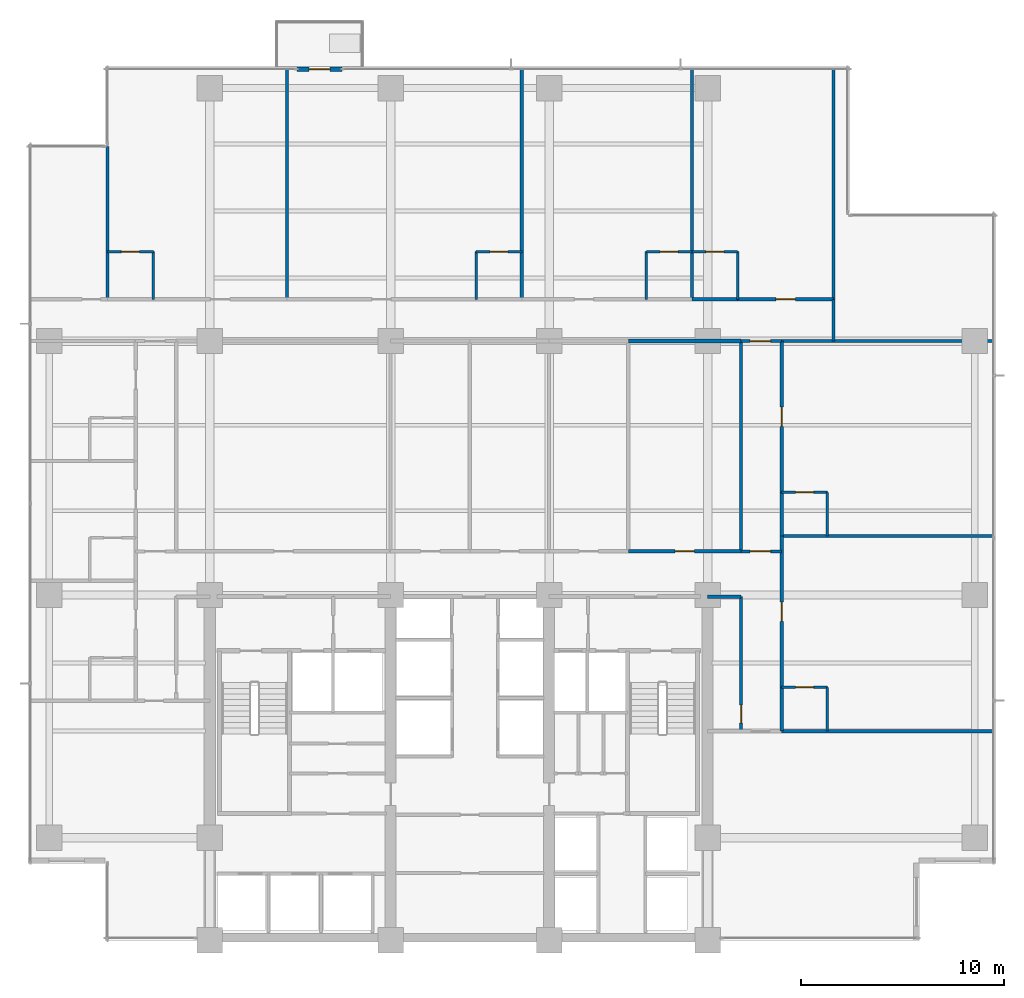
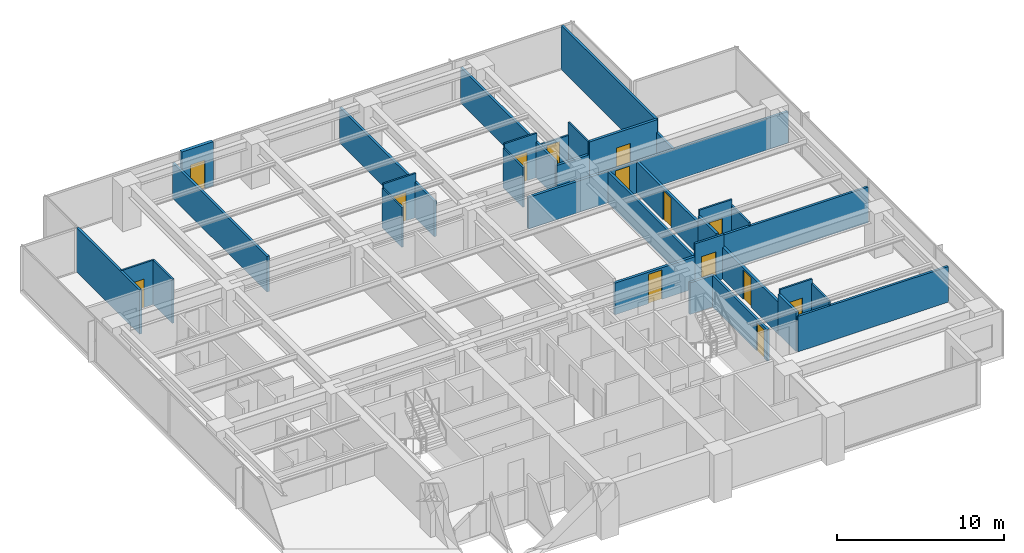
# One storey, part 11 of 17: 35 walls, 14 doors, 14 openings.
"""IFC4 building model written with IfcOpenShell, lengths in metres."""

import ifcopenshell
import ifcopenshell.guid

model = None  # the IFC model being written
_history = None  # IfcOwnerHistory: only IFC2X3 demands one
_inside = {}  # id of a spatial element -> (the spatial element, [elements in it])
_under = {}  # id of a project, library or spatial element -> (it, [spatial elements below it])
_declared = {}  # id of a project -> (the project, [libraries it declares])
_typed = {}  # id of a type object -> (the type object, [elements of that type])
_made_of = {}  # id of a material, layer set ... -> (it, [elements and type objects made of it])


def new_model(schema):
    """Start an empty IFC model of exactly this schema.

    Asked for "IFC4X3", IfcOpenShell would pick the latest addendum, in which some entities
    have other attributes; the version numbers below select the first issue.
    IFC2X3 requires an IfcOwnerHistory on every rooted entity: one is made here for all.
    """
    global model, _history
    if schema == "IFC4X3":
        model = ifcopenshell.file(schema_version=(4, 3, 0, 0))
    else:
        model = ifcopenshell.file(schema=schema)
    _inside.clear()
    _under.clear()
    _declared.clear()
    _typed.clear()
    _made_of.clear()
    _history = None
    if model.schema == "IFC2X3":
        org = make("IfcOrganization", Name="unknown")
        user = make(
            "IfcPersonAndOrganization",
            ThePerson=make("IfcPerson", FamilyName="unknown"),
            TheOrganization=org,
        )
        app = make(
            "IfcApplication",
            ApplicationDeveloper=org,
            Version="unknown",
            ApplicationFullName="unknown",
            ApplicationIdentifier="unknown",
        )
        _history = make(
            "IfcOwnerHistory",
            OwningUser=user,
            OwningApplication=app,
            ChangeAction="ADDED",
            CreationDate=0,
        )
    return model


def make(cls, **values):
    """One entity of the class cls with the attributes given. An attribute that is None is left unset."""
    return model.create_entity(
        cls, **{name: value for name, value in values.items() if value is not None}
    )


def rooted(cls, **values):
    """An entity with a GlobalId (a new one), such as an element, a storey or a relation."""
    return make(cls, GlobalId=ifcopenshell.guid.new(), OwnerHistory=_history, **values)


def si_unit(unit_type, name, prefix=None):
    """IfcSIUnit, for example si_unit("LENGTHUNIT", "METRE", prefix="MILLI")."""
    return make("IfcSIUnit", UnitType=unit_type, Prefix=prefix, Name=name)


def assignment(units):
    """IfcUnitAssignment: the units of a project."""
    return None if units is None else make("IfcUnitAssignment", Units=units)


def point(xyz):
    """IfcCartesianPoint."""
    return None if xyz is None else make("IfcCartesianPoint", Coordinates=xyz)


def direction(xyz):
    """IfcDirection."""
    return None if xyz is None else make("IfcDirection", DirectionRatios=xyz)


def frame(location, z_axis=None, x_axis=None):
    """IfcAxis2Placement3D, a coordinate frame: its origin and axes. An axis left out is left unset."""
    return make(
        "IfcAxis2Placement3D",
        Location=point(location),
        Axis=direction(z_axis),
        RefDirection=direction(x_axis),
    )


def frame_2d(location, x_axis=None):
    """IfcAxis2Placement2D, a coordinate frame in the plane: its origin and x axis."""
    return make(
        "IfcAxis2Placement2D", Location=point(location), RefDirection=direction(x_axis)
    )


def origin():
    """The frame at (0, 0, 0) with its axes left unset."""
    return frame((0.0, 0.0, 0.0))


def place(relative_to, where):
    """IfcLocalPlacement: puts the frame where relative to a parent placement (None: the world)."""
    return make(
        "IfcLocalPlacement", PlacementRelTo=relative_to, RelativePlacement=where
    )


def context(
    kind, dimensions, precision=None, world=None, true_north=None, identifier=None
):
    """IfcGeometricRepresentationContext, for example the 3D "Model" context."""
    return make(
        "IfcGeometricRepresentationContext",
        ContextIdentifier=identifier,
        ContextType=kind,
        CoordinateSpaceDimension=dimensions,
        Precision=precision,
        WorldCoordinateSystem=world,
        TrueNorth=true_north,
    )


def subcontext(parent, identifier, kind, view, scale=None):
    """IfcGeometricRepresentationSubContext, for example "Body" below "Model"."""
    return make(
        "IfcGeometricRepresentationSubContext",
        ContextIdentifier=identifier,
        ContextType=kind,
        ParentContext=parent,
        TargetScale=scale,
        TargetView=view,
    )


def project(units=None, contexts=None):
    """IfcProject with its units and contexts."""
    return rooted(
        "IfcProject",
        Name="project",
        RepresentationContexts=contexts,
        UnitsInContext=assignment(units),
    )


def spatial(cls, under=None, at=None, **own):
    """A site, building, storey or space (cls), placed at a placement, below another one or the project."""
    s = rooted(cls, ObjectPlacement=at, **own)
    if under is not None:
        _under.setdefault(under.id(), (under, []))[1].append(s)
    return s


def profile(cls, at=None, kind="AREA", **sizes):
    """A parametric profile (cls). Its sizes go by their IFC names, for example OverallWidth=200.0."""
    return make(cls, ProfileType=kind, Position=at, **sizes)


def rectangle(**sizes):
    """IfcRectangleProfileDef."""
    return profile("IfcRectangleProfileDef", **sizes)


def extrude(swept, where, along, depth):
    """IfcExtrudedAreaSolid: the profile swept, set in the frame where, extruded along a direction by depth."""
    return make(
        "IfcExtrudedAreaSolid",
        SweptArea=swept,
        Position=where,
        ExtrudedDirection=direction(along),
        Depth=depth,
    )


def shape(context_of_items, identifier, shape_type, items):
    """IfcShapeRepresentation: the items that make up one representation, for example the "Body"."""
    return make(
        "IfcShapeRepresentation",
        ContextOfItems=context_of_items,
        RepresentationIdentifier=identifier,
        RepresentationType=shape_type,
        Items=items,
    )


def material(Name=None, Category=None):
    """IfcMaterial."""
    return make("IfcMaterial", Name=Name, Category=Category)


def layer(
    of_material, thickness, ventilated=None, Name=None, Category=None, Priority=None
):
    """IfcMaterialLayer: one layer of a wall or slab, of a material (None: an air gap)."""
    return make(
        "IfcMaterialLayer",
        Material=of_material,
        LayerThickness=thickness,
        IsVentilated=ventilated,
        Name=Name,
        Category=Category,
        Priority=Priority,
    )


def layer_set(layers, Name=None):
    """IfcMaterialLayerSet."""
    return make("IfcMaterialLayerSet", MaterialLayers=layers, LayerSetName=Name)


def made_of(thing, what):
    """Note that an element or type object is made of a material, layer set ...; save() writes the relation."""
    if what is not None:
        _made_of.setdefault(what.id(), (what, []))[1].append(thing)
    return thing


def type_object(cls, material=None, **own):
    """A type object (cls), such as IfcWallType, which elements share."""
    return made_of(rooted(cls, **own), material)


def element(
    cls,
    number,
    at=None,
    inside=None,
    cuts=None,
    type_object=None,
    material=None,
    context=None,
    identifier="Body",
    shape_type=None,
    held_by="IfcProductDefinitionShape",
    body=None,
    shapes=None,
    **own,
):
    """One element of the class cls, such as IfcWall. Its Tag is "e" and its number.

    at: its placement. inside: the storey or other place that contains it. cuts: it is an
    opening in that element (IfcRelVoidsElement). A single representation is given by context,
    identifier, shape_type and body (its items); several are given by shapes. held_by: the class
    of the entity that holds the representations. save() writes the other relations.
    """
    e = rooted(cls, Tag="e%d" % number, ObjectPlacement=at, **own)
    if body is not None:
        shapes = [shape(context, identifier, shape_type, body)]
    if shapes is not None:
        e.Representation = make(held_by, Representations=shapes)
    if inside is not None:
        _inside.setdefault(inside.id(), (inside, []))[1].append(e)
    if cuts is not None:
        rooted(
            "IfcRelVoidsElement", RelatingBuildingElement=cuts, RelatedOpeningElement=e
        )
    if type_object is not None:
        _typed.setdefault(type_object.id(), (type_object, []))[1].append(e)
    return made_of(e, material)


def fill(opening, filler):
    """IfcRelFillsElement: the door or window that sits in an opening."""
    return rooted(
        "IfcRelFillsElement",
        RelatingOpeningElement=opening,
        RelatedBuildingElement=filler,
    )


def aggregate(whole, parts):
    """IfcRelAggregates: a whole, such as a stair, and the parts it consists of."""
    return rooted("IfcRelAggregates", RelatingObject=whole, RelatedObjects=parts)


def save(model, path):
    """Write the relations noted so far, then the file.

    IfcRelAggregates (storeys below a building ...), IfcRelContainedInSpatialStructure (elements
    in a storey), IfcRelDefinesByType, IfcRelAssociatesMaterial and IfcRelDeclares: one each for
    every whole, place, type object, material and project.
    """
    for whole, parts in _under.values():
        aggregate(whole, parts)
    for where, things in _inside.values():
        rooted(
            "IfcRelContainedInSpatialStructure",
            RelatedElements=things,
            RelatingStructure=where,
        )
    for kind, things in _typed.values():
        rooted("IfcRelDefinesByType", RelatedObjects=things, RelatingType=kind)
    for what, things in _made_of.values():
        rooted("IfcRelAssociatesMaterial", RelatedObjects=things, RelatingMaterial=what)
    for by, libraries in _declared.values():
        rooted("IfcRelDeclares", RelatingContext=by, RelatedDefinitions=libraries)
    model.write(path)


model = new_model("IFC4")

# Units and contexts
model_context = context("Model", 3, precision=1e-05, world=origin(), true_north=direction((0.0, 1.0)))
body_context = subcontext(model_context, "Body", "Model", "MODEL_VIEW")
ifc_project = project(units=[si_unit("LENGTHUNIT", "METRE"), si_unit("AREAUNIT", "SQUARE_METRE"), si_unit("VOLUMEUNIT", "CUBIC_METRE"), si_unit("PLANEANGLEUNIT", "RADIAN"), si_unit("MASSUNIT", "GRAM", prefix="KILO")], contexts=[model_context])

# Site, building, storey
site_placement = place(None, origin())
site = spatial("IfcSite", under=ifc_project, at=site_placement, CompositionType="ELEMENT")
building_placement = place(site_placement, origin())
building = spatial("IfcBuilding", under=site, at=building_placement, Name="Qalmaran Belvedere Hotel", CompositionType="ELEMENT")
storey_placement = place(building_placement, frame((0.0, 0.0, 91.699951171875)))
storey = spatial("IfcBuildingStorey", under=building, at=storey_placement, Name="L22", CompositionType="ELEMENT", Elevation=91.699951171875)

# Wall, opening, door
ifc_material_1 = material(Name="Anodised Bronze Cladding")
ifc_layer_1 = layer(ifc_material_1, 0.22509765625, Name="Anodised Bronze Cladding")
ifc_layer_set_1 = layer_set([ifc_layer_1], Name="Anodised Bronze Cladding")
wall_type_1 = type_object("IfcWallType", Name="WL-BAL-PORT-225", PredefinedType="SOLIDWALL", material=ifc_layer_set_1)
wall_1_placement = place(storey_placement, frame((24.60009765625, 46.3798828125, 0.0), z_axis=(0.0, 0.0, 1.0), x_axis=(1.0, 0.0, 0.0)))
wall_1 = element("IfcWall", 1, at=wall_1_placement, inside=storey, type_object=wall_type_1, Name="L22 Tree Balcony Door Portal", PredefinedType="SOLIDWALL", context=body_context, shape_type="SweptSolid", body=[
    extrude(rectangle(XDim=2.199951171875, YDim=0.22509765625, at=frame_2d((1.10009765625, 0.0))), origin(), (0.0, 0.0, 1.0), 3.239990234375),
])
opening_1_placement = place(wall_1_placement, frame((0.590087890625, 0.0, 0.0)))
opening_1 = element("IfcOpeningElement", 2, at=opening_1_placement, cuts=wall_1, Name="Opening BL-102", PredefinedType="OPENING", context=body_context, shape_type="SweptSolid", body=[
    extrude(rectangle(XDim=1.02001953125, YDim=2.10009765625, at=frame_2d((0.510009765625, 1.050048828125))), frame((0.0, 0.12255859375, 0.0), z_axis=(0.0, -1.0, 0.0), x_axis=(1.0, 0.0, 0.0)), (0.0, 0.0, 1.0), 0.2451171875),
])
ifc_material_2 = material(Name="Anodised Bronze Aluminium", Category="aluminium")
door_type_1 = type_object("IfcDoorType", Name="DR-BAL-1020X2100", OperationType="NOTDEFINED", PredefinedType="DOOR", material=ifc_material_2)
door_1_placement = place(opening_1_placement, origin())
door_1 = element("IfcDoor", 3, at=door_1_placement, inside=storey, type_object=door_type_1, Name="L22 Planted Tree Balcony Door", OperationType="SINGLE_SWING_LEFT", OverallHeight=2.10009765625, OverallWidth=1.02001953125, PredefinedType="DOOR", context=body_context, shape_type="SweptSolid", body=[
    extrude(rectangle(XDim=1.02001953125, YDim=2.10009765625, at=frame_2d((0.510009765625, 1.050048828125))), frame((0.0, 0.02490234375, 0.0), z_axis=(0.0, -1.0, 0.0), x_axis=(1.0, 0.0, 0.0)), (0.0, 0.0, 1.0), 0.050048828125),
])
fill(opening_1, door_1)

ifc_material_3 = material(Name="Moisture-Resistant Gypsum")
ifc_layer_2 = layer(ifc_material_3, 0.1201171875, Name="Moisture-Resistant Gypsum")
ifc_layer_set_2 = layer_set([ifc_layer_2], Name="Moisture-Resistant Gypsum")
wall_type_2 = type_object("IfcWallType", Name="WL-INT-120-BATH", PredefinedType="PARTITIONING", material=ifc_layer_set_2)
wall_2_placement = place(storey_placement, frame((15.27001953125, 37.39990234375, 0.0), z_axis=(0.0, 0.0, 1.0), x_axis=(1.0, 0.0, 0.0)))
wall_2 = element("IfcWall", 4, at=wall_2_placement, inside=storey, type_object=wall_type_2, Name="L22 Partition WL-L22-NBN00", PredefinedType="PARTITIONING", context=body_context, shape_type="SweptSolid", body=[
    extrude(rectangle(XDim=2.25, YDim=0.1201171875, at=frame_2d((1.125, 0.0))), origin(), (0.0, 0.0, 1.0), 3.239990234375),
])
opening_2_placement = place(wall_2_placement, frame((1.56494140625, 0.0, 0.0), z_axis=(0.0, 0.0, 1.0), x_axis=(-1.0, 0.0, 0.0)))
opening_2 = element("IfcOpeningElement", 5, at=opening_2_placement, cuts=wall_2, Name="Opening D-BATH", PredefinedType="OPENING", context=body_context, shape_type="SweptSolid", body=[
    extrude(rectangle(XDim=0.8798828125, YDim=2.080078125, at=frame_2d((0.43994140625, 1.0400390625))), frame((0.0, 0.070068359375, 0.0), z_axis=(0.0, -1.0, 0.0), x_axis=(1.0, 0.0, 0.0)), (0.0, 0.0, 1.0), 0.14013671875),
])
ifc_material_4 = material(Name="Engineered Oak Veneer")
door_type_2 = type_object("IfcDoorType", Name="DR-INT-BATH-880X2080", OperationType="NOTDEFINED", PredefinedType="DOOR", material=ifc_material_4)
door_2_placement = place(opening_2_placement, origin())
door_2 = element("IfcDoor", 6, at=door_2_placement, inside=storey, type_object=door_type_2, Name="L22 Ensuite Bathroom Door N01", OperationType="SINGLE_SWING_LEFT", OverallHeight=2.080078125, OverallWidth=0.8798828125, PredefinedType="DOOR", context=body_context, shape_type="SweptSolid", body=[
    extrude(rectangle(XDim=0.8798828125, YDim=2.080078125, at=frame_2d((0.43994140625, 1.0400390625))), frame((0.0, 0.02490234375, 0.0), z_axis=(0.0, -1.0, 0.0), x_axis=(1.0, 0.0, 0.0)), (0.0, 0.0, 1.0), 0.050048828125),
])
fill(opening_2, door_2)

# Wall
wall_3_placement = place(storey_placement, frame((17.52001953125, 35.050048828125, 0.0), z_axis=(0.0, 0.0, 1.0), x_axis=(0.0, 1.0, 0.0)))
element("IfcWall", 7, at=wall_3_placement, inside=storey, type_object=wall_type_2, Name="L22 Partition WL-L22-NBS00", PredefinedType="PARTITIONING", context=body_context, shape_type="SweptSolid", body=[
    extrude(rectangle(XDim=2.349853515625, YDim=0.1201171875, at=frame_2d((1.1748046875, 0.0))), origin(), (0.0, 0.0, 1.0), 3.239990234375),
])

# Wall, opening, door
wall_4_placement = place(storey_placement, frame((33.40966796875, 37.39990234375, 0.0), z_axis=(0.0, 0.0, 1.0), x_axis=(1.0, 0.0, 0.0)))
wall_4 = element("IfcWall", 8, at=wall_4_placement, inside=storey, type_object=wall_type_2, Name="L22 Partition WL-L22-NBN01", PredefinedType="PARTITIONING", context=body_context, shape_type="SweptSolid", body=[
    extrude(rectangle(XDim=2.25, YDim=0.1201171875, at=frame_2d((1.125, 0.0))), origin(), (0.0, 0.0, 1.0), 3.239990234375),
])
opening_3_placement = place(wall_4_placement, frame((1.56494140625, 0.0, 0.0), z_axis=(0.0, 0.0, 1.0), x_axis=(-1.0, 0.0, 0.0)))
opening_3 = element("IfcOpeningElement", 9, at=opening_3_placement, cuts=wall_4, Name="Opening D-BATH", PredefinedType="OPENING", context=body_context, shape_type="SweptSolid", body=[
    extrude(rectangle(XDim=0.8798828125, YDim=2.080078125, at=frame_2d((0.43994140625, 1.0400390625))), frame((0.0, 0.070068359375, 0.0), z_axis=(0.0, -1.0, 0.0), x_axis=(1.0, 0.0, 0.0)), (0.0, 0.0, 1.0), 0.14013671875),
])
door_3_placement = place(opening_3_placement, origin())
door_3 = element("IfcDoor", 10, at=door_3_placement, inside=storey, type_object=door_type_2, Name="L22 Ensuite Bathroom Door N02", OperationType="SINGLE_SWING_LEFT", OverallHeight=2.080078125, OverallWidth=0.8798828125, PredefinedType="DOOR", context=body_context, shape_type="SweptSolid", body=[
    extrude(rectangle(XDim=0.8798828125, YDim=2.080078125, at=frame_2d((0.43994140625, 1.0400390625))), frame((0.0, 0.02490234375, 0.0), z_axis=(0.0, -1.0, 0.0), x_axis=(1.0, 0.0, 0.0)), (0.0, 0.0, 1.0), 0.050048828125),
])
fill(opening_3, door_3)

# Wall
wall_5_placement = place(storey_placement, frame((33.40966796875, 35.050048828125, 0.0), z_axis=(0.0, 0.0, 1.0), x_axis=(0.0, 1.0, 0.0)))
element("IfcWall", 11, at=wall_5_placement, inside=storey, type_object=wall_type_2, Name="L22 Partition WL-L22-NBS01", PredefinedType="PARTITIONING", context=body_context, shape_type="SweptSolid", body=[
    extrude(rectangle(XDim=2.349853515625, YDim=0.1201171875, at=frame_2d((1.1748046875, 0.0))), origin(), (0.0, 0.0, 1.0), 2.922119140625),
])

# Wall, opening, door
wall_6_placement = place(storey_placement, frame((41.783935546875, 37.39990234375, 0.0), z_axis=(0.0, 0.0, 1.0), x_axis=(1.0, 0.0, 0.0)))
wall_6 = element("IfcWall", 12, at=wall_6_placement, inside=storey, type_object=wall_type_2, Name="L22 Partition WL-L22-NBN02", PredefinedType="PARTITIONING", context=body_context, shape_type="SweptSolid", body=[
    extrude(rectangle(XDim=2.25, YDim=0.1201171875, at=frame_2d((1.125, 0.0))), origin(), (0.0, 0.0, 1.0), 3.239990234375),
])
opening_4_placement = place(wall_6_placement, frame((1.56494140625, 0.0, 0.0), z_axis=(0.0, 0.0, 1.0), x_axis=(-1.0, 0.0, 0.0)))
opening_4 = element("IfcOpeningElement", 13, at=opening_4_placement, cuts=wall_6, Name="Opening D-BATH", PredefinedType="OPENING", context=body_context, shape_type="SweptSolid", body=[
    extrude(rectangle(XDim=0.8798828125, YDim=2.080078125, at=frame_2d((0.43994140625, 1.0400390625))), frame((0.0, 0.070068359375, 0.0), z_axis=(0.0, -1.0, 0.0), x_axis=(1.0, 0.0, 0.0)), (0.0, 0.0, 1.0), 0.14013671875),
])
door_4_placement = place(opening_4_placement, origin())
door_4 = element("IfcDoor", 14, at=door_4_placement, inside=storey, type_object=door_type_2, Name="L22 Ensuite Bathroom Door N03", OperationType="SINGLE_SWING_LEFT", OverallHeight=2.080078125, OverallWidth=0.8798828125, PredefinedType="DOOR", context=body_context, shape_type="SweptSolid", body=[
    extrude(rectangle(XDim=0.8798828125, YDim=2.080078125, at=frame_2d((0.43994140625, 1.0400390625))), frame((0.0, 0.02490234375, 0.0), z_axis=(0.0, -1.0, 0.0), x_axis=(1.0, 0.0, 0.0)), (0.0, 0.0, 1.0), 0.050048828125),
])
fill(opening_4, door_4)

# Wall
wall_7_placement = place(storey_placement, frame((41.783935546875, 35.050048828125, 0.0), z_axis=(0.0, 0.0, 1.0), x_axis=(0.0, 1.0, 0.0)))
element("IfcWall", 15, at=wall_7_placement, inside=storey, type_object=wall_type_2, Name="L22 Partition WL-L22-NBS02", PredefinedType="PARTITIONING", context=body_context, shape_type="SweptSolid", body=[
    extrude(rectangle(XDim=2.349853515625, YDim=0.1201171875, at=frame_2d((1.1748046875, 0.0))), origin(), (0.0, 0.0, 1.0), 2.922119140625),
])

# Wall, opening, door
wall_8_placement = place(storey_placement, frame((44.033935546875, 37.39990234375, 0.0), z_axis=(0.0, 0.0, 1.0), x_axis=(1.0, 0.0, 0.0)))
wall_8 = element("IfcWall", 16, at=wall_8_placement, inside=storey, type_object=wall_type_2, Name="L22 Partition WL-L22-NBN03", PredefinedType="PARTITIONING", context=body_context, shape_type="SweptSolid", body=[
    extrude(rectangle(XDim=2.25, YDim=0.1201171875, at=frame_2d((1.125, 0.0))), origin(), (0.0, 0.0, 1.0), 2.31298828125),
])
opening_5_placement = place(wall_8_placement, frame((1.56494140625, 0.0, 0.0), z_axis=(0.0, 0.0, 1.0), x_axis=(-1.0, 0.0, 0.0)))
opening_5 = element("IfcOpeningElement", 17, at=opening_5_placement, cuts=wall_8, Name="Opening D-BATH", PredefinedType="OPENING", context=body_context, shape_type="SweptSolid", body=[
    extrude(rectangle(XDim=0.8798828125, YDim=2.080078125, at=frame_2d((0.43994140625, 1.0400390625))), frame((0.0, 0.070068359375, 0.0), z_axis=(0.0, -1.0, 0.0), x_axis=(1.0, 0.0, 0.0)), (0.0, 0.0, 1.0), 0.14013671875),
])
door_5_placement = place(opening_5_placement, origin())
door_5 = element("IfcDoor", 18, at=door_5_placement, inside=storey, type_object=door_type_2, Name="L22 Ensuite Bathroom Door N04", OperationType="SINGLE_SWING_LEFT", OverallHeight=2.080078125, OverallWidth=0.8798828125, PredefinedType="DOOR", context=body_context, shape_type="SweptSolid", body=[
    extrude(rectangle(XDim=0.8798828125, YDim=2.080078125, at=frame_2d((0.43994140625, 1.0400390625))), frame((0.0, 0.02490234375, 0.0), z_axis=(0.0, -1.0, 0.0), x_axis=(1.0, 0.0, 0.0)), (0.0, 0.0, 1.0), 0.050048828125),
])
fill(opening_5, door_5)

# Wall
wall_9_placement = place(storey_placement, frame((46.283935546875, 35.050048828125, 0.0), z_axis=(0.0, 0.0, 1.0), x_axis=(0.0, 1.0, 0.0)))
element("IfcWall", 19, at=wall_9_placement, inside=storey, type_object=wall_type_2, Name="L22 Partition WL-L22-NBS03", PredefinedType="PARTITIONING", context=body_context, shape_type="SweptSolid", body=[
    extrude(rectangle(XDim=2.349853515625, YDim=0.1201171875, at=frame_2d((1.1748046875, 0.0))), origin(), (0.0, 0.0, 1.0), 3.239990234375),
])

# Wall, opening, door
wall_10_placement = place(storey_placement, frame((48.449951171875, 15.949951171875, 0.0), z_axis=(0.0, 0.0, 1.0), x_axis=(1.0, 0.0, 0.0)))
wall_10 = element("IfcWall", 20, at=wall_10_placement, inside=storey, type_object=wall_type_2, Name="L22 Partition WL-L22-EBN00", PredefinedType="PARTITIONING", context=body_context, shape_type="SweptSolid", body=[
    extrude(rectangle(XDim=2.25, YDim=0.1201171875, at=frame_2d((1.125, 0.0))), origin(), (0.0, 0.0, 1.0), 3.239990234375),
])
opening_6_placement = place(wall_10_placement, frame((1.56494140625, 0.0, 0.0), z_axis=(0.0, 0.0, 1.0), x_axis=(-1.0, 0.0, 0.0)))
opening_6 = element("IfcOpeningElement", 21, at=opening_6_placement, cuts=wall_10, Name="Opening D-BATH", PredefinedType="OPENING", context=body_context, shape_type="SweptSolid", body=[
    extrude(rectangle(XDim=0.8798828125, YDim=2.080078125, at=frame_2d((0.43994140625, 1.0400390625))), frame((0.0, 0.070068359375, 0.0), z_axis=(0.0, -1.0, 0.0), x_axis=(1.0, 0.0, 0.0)), (0.0, 0.0, 1.0), 0.14013671875),
])
door_6_placement = place(opening_6_placement, origin())
door_6 = element("IfcDoor", 22, at=door_6_placement, inside=storey, type_object=door_type_2, Name="L22 E Ensuite Door 01", OperationType="SINGLE_SWING_LEFT", OverallHeight=2.080078125, OverallWidth=0.8798828125, PredefinedType="DOOR", context=body_context, shape_type="SweptSolid", body=[
    extrude(rectangle(XDim=0.8798828125, YDim=2.080078125, at=frame_2d((0.43994140625, 1.0400390625))), frame((0.0, 0.02490234375, 0.0), z_axis=(0.0, -1.0, 0.0), x_axis=(1.0, 0.0, 0.0)), (0.0, 0.0, 1.0), 0.050048828125),
])
fill(opening_6, door_6)

# Wall
wall_11_placement = place(storey_placement, frame((50.699951171875, 13.800048828125, 0.0), z_axis=(0.0, 0.0, 1.0), x_axis=(0.0, 1.0, 0.0)))
element("IfcWall", 23, at=wall_11_placement, inside=storey, type_object=wall_type_2, Name="L22 Partition WL-L22-EBS00", PredefinedType="PARTITIONING", context=body_context, shape_type="SweptSolid", body=[
    extrude(rectangle(XDim=2.14990234375, YDim=0.1201171875, at=frame_2d((1.074951171875, 0.0))), origin(), (0.0, 0.0, 1.0), 2.922119140625),
])

# Wall, opening, door
wall_12_placement = place(storey_placement, frame((48.449951171875, 25.550048828125, 0.0), z_axis=(0.0, 0.0, 1.0), x_axis=(1.0, 0.0, 0.0)))
wall_12 = element("IfcWall", 24, at=wall_12_placement, inside=storey, type_object=wall_type_2, Name="L22 Partition WL-L22-EBN01", PredefinedType="PARTITIONING", context=body_context, shape_type="SweptSolid", body=[
    extrude(rectangle(XDim=2.25, YDim=0.1201171875, at=frame_2d((1.125, 0.0))), origin(), (0.0, 0.0, 1.0), 3.239990234375),
])
opening_7_placement = place(wall_12_placement, frame((1.56494140625, 0.0, 0.0), z_axis=(0.0, 0.0, 1.0), x_axis=(-1.0, 0.0, 0.0)))
opening_7 = element("IfcOpeningElement", 25, at=opening_7_placement, cuts=wall_12, Name="Opening D-BATH", PredefinedType="OPENING", context=body_context, shape_type="SweptSolid", body=[
    extrude(rectangle(XDim=0.8798828125, YDim=2.080078125, at=frame_2d((0.43994140625, 1.0400390625))), frame((0.0, 0.070068359375, 0.0), z_axis=(0.0, -1.0, 0.0), x_axis=(1.0, 0.0, 0.0)), (0.0, 0.0, 1.0), 0.14013671875),
])
door_7_placement = place(opening_7_placement, origin())
door_7 = element("IfcDoor", 26, at=door_7_placement, inside=storey, type_object=door_type_2, Name="L22 E Ensuite Door 02", OperationType="SINGLE_SWING_LEFT", OverallHeight=2.080078125, OverallWidth=0.8798828125, PredefinedType="DOOR", context=body_context, shape_type="SweptSolid", body=[
    extrude(rectangle(XDim=0.8798828125, YDim=2.080078125, at=frame_2d((0.43994140625, 1.0400390625))), frame((0.0, 0.02490234375, 0.0), z_axis=(0.0, -1.0, 0.0), x_axis=(1.0, 0.0, 0.0)), (0.0, 0.0, 1.0), 0.050048828125),
])
fill(opening_7, door_7)

# Wall
wall_13_placement = place(storey_placement, frame((50.699951171875, 23.39990234375, 0.0), z_axis=(0.0, 0.0, 1.0), x_axis=(0.0, 1.0, 0.0)))
element("IfcWall", 27, at=wall_13_placement, inside=storey, type_object=wall_type_2, Name="L22 Partition WL-L22-EBS01", PredefinedType="PARTITIONING", context=body_context, shape_type="SweptSolid", body=[
    extrude(rectangle(XDim=2.150146484375, YDim=0.1201171875, at=frame_2d((1.0751953125, 0.0))), origin(), (0.0, 0.0, 1.0), 2.818115234375),
])

# Wall, opening, door
ifc_material_5 = material(Name="Gypsum Stud Partition")
ifc_layer_3 = layer(ifc_material_5, 0.14990234375, Name="Gypsum Stud Partition")
ifc_layer_set_3 = layer_set([ifc_layer_3], Name="Gypsum Stud Partition")
wall_type_3 = type_object("IfcWallType", Name="WL-INT-150-EI60", PredefinedType="PARTITIONING", material=ifc_layer_set_3)
wall_14_placement = place(storey_placement, frame((46.449951171875, 22.64990234375, 0.0), z_axis=(0.0, 0.0, 1.0), x_axis=(1.0, 0.0, 0.0)))
wall_14 = element("IfcWall", 28, at=wall_14_placement, inside=storey, type_object=wall_type_3, Name="L22 Partition WL-L22-XCE1", PredefinedType="PARTITIONING", context=body_context, shape_type="SweptSolid", body=[
    extrude(rectangle(XDim=2.0, YDim=0.14990234375, at=frame_2d((1.0, 0.0))), origin(), (0.0, 0.0, 1.0), 3.239990234375),
])
opening_8_placement = place(wall_14_placement, frame((0.449951171875, 0.0, 0.0)))
opening_8 = element("IfcOpeningElement", 29, at=opening_8_placement, cuts=wall_14, Name="Opening FD90B", PredefinedType="OPENING", context=body_context, shape_type="SweptSolid", body=[
    extrude(rectangle(XDim=1.0, YDim=2.14990234375, at=frame_2d((0.5, 1.074951171875))), frame((0.0, 0.0849609375, 0.0), z_axis=(0.0, -1.0, 0.0), x_axis=(1.0, 0.0, 0.0)), (0.0, 0.0, 1.0), 0.169921875),
])
ifc_material_6 = material(Name="Steel S355JR", Category="steel")
door_type_3 = type_object("IfcDoorType", Name="DR-FD90B-1000X2150", OperationType="NOTDEFINED", PredefinedType="DOOR", material=ifc_material_6)
door_8_placement = place(opening_8_placement, origin())
door_8 = element("IfcDoor", 30, at=door_8_placement, inside=storey, type_object=door_type_3, Name="L22 East Corridor Smoke Door S", OperationType="SINGLE_SWING_RIGHT", OverallHeight=2.14990234375, OverallWidth=1.0, PredefinedType="DOOR", context=body_context, shape_type="SweptSolid", body=[
    extrude(rectangle(XDim=1.0, YDim=2.14990234375, at=frame_2d((0.5, 1.074951171875))), frame((0.0, 0.02490234375, 0.0), z_axis=(0.0, -1.0, 0.0), x_axis=(1.0, 0.0, 0.0)), (0.0, 0.0, 1.0), 0.050048828125),
])
fill(opening_8, door_8)

wall_15_placement = place(storey_placement, frame((46.449951171875, 33.0, 0.0), z_axis=(0.0, 0.0, 1.0), x_axis=(1.0, 0.0, 0.0)))
wall_15 = element("IfcWall", 31, at=wall_15_placement, inside=storey, type_object=wall_type_3, Name="L22 Partition WL-L22-XCE2", PredefinedType="PARTITIONING", context=body_context, shape_type="SweptSolid", body=[
    extrude(rectangle(XDim=2.0, YDim=0.14990234375, at=frame_2d((1.0, 0.0))), origin(), (0.0, 0.0, 1.0), 2.31298828125),
])
opening_9_placement = place(wall_15_placement, frame((0.449951171875, 0.0, 0.0)))
opening_9 = element("IfcOpeningElement", 32, at=opening_9_placement, cuts=wall_15, Name="Opening FD90B", PredefinedType="OPENING", context=body_context, shape_type="SweptSolid", body=[
    extrude(rectangle(XDim=1.0, YDim=2.14990234375, at=frame_2d((0.5, 1.074951171875))), frame((0.0, 0.0849609375, 0.0), z_axis=(0.0, -1.0, 0.0), x_axis=(1.0, 0.0, 0.0)), (0.0, 0.0, 1.0), 0.169921875),
])
door_9_placement = place(opening_9_placement, origin())
door_9 = element("IfcDoor", 33, at=door_9_placement, inside=storey, type_object=door_type_3, Name="L22 East Corridor Smoke Door N", OperationType="SINGLE_SWING_LEFT", OverallHeight=2.14990234375, OverallWidth=1.0, PredefinedType="DOOR", context=body_context, shape_type="SweptSolid", body=[
    extrude(rectangle(XDim=1.0, YDim=2.14990234375, at=frame_2d((0.5, 1.074951171875))), frame((0.0, 0.02490234375, 0.0), z_axis=(0.0, -1.0, 0.0), x_axis=(1.0, 0.0, 0.0)), (0.0, 0.0, 1.0), 0.050048828125),
])
fill(opening_9, door_9)

ifc_layer_4 = layer(ifc_material_5, 0.159912109375, Name="Gypsum Stud Partition")
ifc_layer_set_4 = layer_set([ifc_layer_4], Name="Gypsum Stud Partition")
wall_type_4 = type_object("IfcWallType", Name="WL-INT-160-EI60", PredefinedType="PARTITIONING", material=ifc_layer_set_4)
wall_16_placement = place(storey_placement, frame((46.449951171875, 13.800048828125, 0.0), z_axis=(0.0, 0.0, 1.0), x_axis=(0.0, 1.0, 0.0)))
wall_16 = element("IfcWall", 34, at=wall_16_placement, inside=storey, type_object=wall_type_4, Name="L22 Partition WL-L22-ECL", PredefinedType="PARTITIONING", context=body_context, shape_type="SweptSolid", body=[
    extrude(rectangle(XDim=6.619873046875, YDim=0.159912109375, at=frame_2d((3.31005859375, 0.0))), origin(), (0.0, 0.0, 1.0), 2.31298828125),
])
opening_10_placement = place(wall_16_placement, frame((0.39990234375, 0.0, 0.0)))
opening_10 = element("IfcOpeningElement", 35, at=opening_10_placement, cuts=wall_16, Name="Opening FD60B", PredefinedType="OPENING", context=body_context, shape_type="SweptSolid", body=[
    extrude(rectangle(XDim=0.8798828125, YDim=2.080078125, at=frame_2d((0.43994140625, 1.0400390625))), frame((0.0, 0.08984375, 0.0), z_axis=(0.0, -1.0, 0.0), x_axis=(1.0, 0.0, 0.0)), (0.0, 0.0, 1.0), 0.179931640625),
])
door_type_4 = type_object("IfcDoorType", Name="DR-FD60B-880X2080", OperationType="NOTDEFINED", PredefinedType="DOOR", material=ifc_material_6)
door_10_placement = place(opening_10_placement, origin())
door_10 = element("IfcDoor", 36, at=door_10_placement, inside=storey, type_object=door_type_4, Name="L22 East Closet Door", OperationType="SINGLE_SWING_LEFT", OverallHeight=2.080078125, OverallWidth=0.8798828125, PredefinedType="DOOR", context=body_context, shape_type="SweptSolid", body=[
    extrude(rectangle(XDim=0.8798828125, YDim=2.080078125, at=frame_2d((0.43994140625, 1.0400390625))), frame((0.0, 0.02490234375, 0.0), z_axis=(0.0, -1.0, 0.0), x_axis=(1.0, 0.0, 0.0)), (0.0, 0.0, 1.0), 0.050048828125),
])
fill(opening_10, door_10)

# Walls
wall_17_placement = place(storey_placement, frame((44.800048828125, 20.419921875, 0.0), z_axis=(0.0, 0.0, 1.0), x_axis=(1.0, 0.0, 0.0)))
element("IfcWall", 37, at=wall_17_placement, inside=storey, type_object=wall_type_4, Name="L22 Partition WL-L22-ECLN", PredefinedType="PARTITIONING", context=body_context, shape_type="SweptSolid", body=[
    extrude(rectangle(XDim=1.64990234375, YDim=0.159912109375, at=frame_2d((0.824951171875, 0.0))), origin(), (0.0, 0.0, 1.0), 2.31298828125),
])
wall_18_placement = place(storey_placement, frame((51.0, 33.0, 0.0), z_axis=(0.0, 0.0, 1.0), x_axis=(0.0, 1.0, 0.0)))
element("IfcWall", 38, at=wall_18_placement, inside=storey, type_object=wall_type_4, Name="L22 Partition WL-L22-NCGE", PredefinedType="PARTITIONING", context=body_context, shape_type="SweptSolid", body=[
    extrude(rectangle(XDim=2.050048828125, YDim=0.159912109375, at=frame_2d((1.02490234375, 0.0))), origin(), (0.0, 0.0, 1.0), 2.31298828125),
])
wall_19_placement = place(storey_placement, frame((46.449951171875, 22.64990234375, 0.0), z_axis=(0.0, 0.0, 1.0), x_axis=(0.0, 1.0, 0.0)))
element("IfcWall", 39, at=wall_19_placement, inside=storey, type_object=wall_type_4, Name="L22 Partition WL-L22-MIDVR5", PredefinedType="PARTITIONING", context=body_context, shape_type="SweptSolid", body=[
    extrude(rectangle(XDim=10.35009765625, YDim=0.159912109375, at=frame_2d((5.175048828125, 0.0))), origin(), (0.0, 0.0, 1.0), 2.31298828125),
])
wall_20_placement = place(storey_placement, frame((15.27001953125, 35.050048828125, 0.0), z_axis=(0.0, 0.0, 1.0), x_axis=(0.0, 1.0, 0.0)))
element("IfcWall", 40, at=wall_20_placement, inside=storey, type_object=wall_type_4, Name="L22 Partition WL-L22-NUL", PredefinedType="PARTITIONING", context=body_context, shape_type="SweptSolid", body=[
    extrude(rectangle(XDim=7.530029296875, YDim=0.159912109375, at=frame_2d((3.76513671875, 0.0))), origin(), (0.0, 0.0, 1.0), 3.239990234375),
])
for number, where, z_axis, x_axis, name in (
    (41, (24.10009765625, 35.050048828125, 0.0), (0.0, 0.0, 1.0), (0.0, 1.0, 0.0), "L22 Partition WL-L22-NUR00"),
    (42, (35.65966796875, 35.050048828125, 0.0), (0.0, 0.0, 1.0), (0.0, 1.0, 0.0), "L22 Partition WL-L22-NUR01"),
    (43, (44.033935546875, 35.050048828125, 0.0), (0.0, 0.0, 1.0), (0.0, 1.0, 0.0), "L22 Partition WL-L22-NUR02"),
):
    element("IfcWall", number, at=place(storey_placement, frame(where, z_axis=z_axis, x_axis=x_axis)), inside=storey, type_object=wall_type_4, Name=name, PredefinedType="PARTITIONING", context=body_context, shape_type="SweptSolid", body=[
        extrude(rectangle(XDim=11.329833984375, YDim=0.159912109375, at=frame_2d((5.6650390625, 0.0))), origin(), (0.0, 0.0, 1.0), 2.60302734375),
    ])
wall_21_placement = place(storey_placement, frame((51.0, 35.050048828125, 0.0), z_axis=(0.0, 0.0, 1.0), x_axis=(0.0, 1.0, 0.0)))
element("IfcWall", 44, at=wall_21_placement, inside=storey, type_object=wall_type_4, Name="L22 Partition WL-L22-NUR03", PredefinedType="PARTITIONING", context=body_context, shape_type="SweptSolid", body=[
    extrude(rectangle(XDim=11.329833984375, YDim=0.159912109375, at=frame_2d((5.6650390625, 0.0))), origin(), (0.0, 0.0, 1.0), 3.239990234375),
])
for number, where, z_axis, x_axis, name in (
    (45, (48.449951171875, 13.800048828125, 0.0), (0.0, 0.0, 1.0), (1.0, 0.0, 0.0), "L22 Partition WL-L22-EBOT"),
    (46, (48.449951171875, 23.39990234375, 0.0), (0.0, 0.0, 1.0), (1.0, 0.0, 0.0), "L22 Partition WL-L22-EU00"),
):
    element("IfcWall", number, at=place(storey_placement, frame(where, z_axis=z_axis, x_axis=x_axis)), inside=storey, type_object=wall_type_4, Name=name, PredefinedType="PARTITIONING", context=body_context, shape_type="SweptSolid", body=[
        extrude(rectangle(XDim=10.429931640625, YDim=0.159912109375, at=frame_2d((5.21484375, 0.0))), origin(), (0.0, 0.0, 1.0), 2.60302734375),
    ])
wall_22_placement = place(storey_placement, frame((48.449951171875, 33.0, 0.0), z_axis=(0.0, 0.0, 1.0), x_axis=(1.0, 0.0, 0.0)))
element("IfcWall", 47, at=wall_22_placement, inside=storey, type_object=wall_type_4, Name="L22 Partition WL-L22-EU01", PredefinedType="PARTITIONING", context=body_context, shape_type="SweptSolid", body=[
    extrude(rectangle(XDim=10.429931640625, YDim=0.159912109375, at=frame_2d((5.21484375, 0.0))), origin(), (0.0, 0.0, 1.0), 2.31298828125),
])

# Wall, opening, door
ifc_layer_5 = layer(ifc_material_5, 0.179931640625, Name="Gypsum Stud Partition")
ifc_layer_set_5 = layer_set([ifc_layer_5], Name="Gypsum Stud Partition")
wall_type_5 = type_object("IfcWallType", Name="WL-INT-180-EI60", PredefinedType="PARTITIONING", material=ifc_layer_set_5)
wall_23_placement = place(storey_placement, frame((40.89990234375, 22.64990234375, 0.0), z_axis=(0.0, 0.0, 1.0), x_axis=(1.0, 0.0, 0.0)))
wall_23 = element("IfcWall", 48, at=wall_23_placement, inside=storey, type_object=wall_type_5, Name="L22 Partition WL-L22-MIDD5", PredefinedType="PARTITIONING", context=body_context, shape_type="SweptSolid", body=[
    extrude(rectangle(XDim=5.550048828125, YDim=0.179931640625, at=frame_2d((2.77490234375, 0.0))), origin(), (0.0, 0.0, 1.0), 2.31298828125),
])
opening_11_placement = place(wall_23_placement, frame((2.300048828125, 0.0, 0.0)))
opening_11 = element("IfcOpeningElement", 49, at=opening_11_placement, cuts=wall_23, Name="Opening FD60", PredefinedType="OPENING", context=body_context, shape_type="SweptSolid", body=[
    extrude(rectangle(XDim=0.949951171875, YDim=2.14990234375, at=frame_2d((0.47509765625, 1.074951171875))), frame((0.0, 0.10009765625, 0.0), z_axis=(0.0, -1.0, 0.0), x_axis=(1.0, 0.0, 0.0)), (0.0, 0.0, 1.0), 0.199951171875),
])
door_type_5 = type_object("IfcDoorType", Name="DR-FD60-950X2150", OperationType="NOTDEFINED", PredefinedType="DOOR", material=ifc_material_4)
door_11_placement = place(opening_11_placement, origin())
door_11 = element("IfcDoor", 50, at=door_11_placement, inside=storey, type_object=door_type_5, Name="L22 Sommelier Pantry Door", OperationType="SINGLE_SWING_RIGHT", OverallHeight=2.14990234375, OverallWidth=0.949951171875, PredefinedType="DOOR", context=body_context, shape_type="SweptSolid", body=[
    extrude(rectangle(XDim=0.949951171875, YDim=2.14990234375, at=frame_2d((0.47509765625, 1.074951171875))), frame((0.0, 0.02490234375, 0.0), z_axis=(0.0, -1.0, 0.0), x_axis=(1.0, 0.0, 0.0)), (0.0, 0.0, 1.0), 0.050048828125),
])
fill(opening_11, door_11)

# Walls
wall_24_placement = place(storey_placement, frame((40.89990234375, 33.0, 0.0), z_axis=(0.0, 0.0, 1.0), x_axis=(1.0, 0.0, 0.0)))
element("IfcWall", 51, at=wall_24_placement, inside=storey, type_object=wall_type_5, Name="L22 Partition WL-L22-MIDO5", PredefinedType="PARTITIONING", context=body_context, shape_type="SweptSolid", body=[
    extrude(rectangle(XDim=5.550048828125, YDim=0.179931640625, at=frame_2d((2.77490234375, 0.0))), origin(), (0.0, 0.0, 1.0), 2.31298828125),
])
wall_25_placement = place(storey_placement, frame((44.033935546875, 35.050048828125, 0.0), z_axis=(0.0, 0.0, 1.0), x_axis=(1.0, 0.0, 0.0)))
element("IfcWall", 52, at=wall_25_placement, inside=storey, type_object=wall_type_5, Name="L22 Partition WL-L22-NBC03", PredefinedType="PARTITIONING", context=body_context, shape_type="SweptSolid", body=[
    extrude(rectangle(XDim=2.25, YDim=0.179931640625, at=frame_2d((1.125, 0.0))), origin(), (0.0, 0.0, 1.0), 2.31298828125),
])

# Wall, opening, door
wall_26_placement = place(storey_placement, frame((46.283935546875, 35.050048828125, 0.0), z_axis=(0.0, 0.0, 1.0), x_axis=(1.0, 0.0, 0.0)))
wall_26 = element("IfcWall", 53, at=wall_26_placement, inside=storey, type_object=wall_type_5, Name="L22 Partition WL-L22-NEC03", PredefinedType="PARTITIONING", context=body_context, shape_type="SweptSolid", body=[
    extrude(rectangle(XDim=4.716064453125, YDim=0.179931640625, at=frame_2d((2.35791015625, 0.0))), origin(), (0.0, 0.0, 1.0), 3.239990234375),
])
opening_12_placement = place(wall_26_placement, frame((1.883056640625, 0.0, 0.0)))
opening_12 = element("IfcOpeningElement", 54, at=opening_12_placement, cuts=wall_26, Name="Opening FD60", PredefinedType="OPENING", context=body_context, shape_type="SweptSolid", body=[
    extrude(rectangle(XDim=0.949951171875, YDim=2.14990234375, at=frame_2d((0.47509765625, 1.074951171875))), frame((0.0, 0.10009765625, 0.0), z_axis=(0.0, -1.0, 0.0), x_axis=(1.0, 0.0, 0.0)), (0.0, 0.0, 1.0), 0.199951171875),
])
door_12_placement = place(opening_12_placement, origin())
door_12 = element("IfcDoor", 55, at=door_12_placement, inside=storey, type_object=door_type_5, Name="L22 Guest Entrance Door N04", OperationType="SINGLE_SWING_RIGHT", OverallHeight=2.14990234375, OverallWidth=0.949951171875, PredefinedType="DOOR", context=body_context, shape_type="SweptSolid", body=[
    extrude(rectangle(XDim=0.949951171875, YDim=2.14990234375, at=frame_2d((0.47509765625, 1.074951171875))), frame((0.0, 0.02490234375, 0.0), z_axis=(0.0, -1.0, 0.0), x_axis=(1.0, 0.0, 0.0)), (0.0, 0.0, 1.0), 0.050048828125),
])
fill(opening_12, door_12)

# Wall
wall_27_placement = place(storey_placement, frame((48.449951171875, 13.800048828125, 0.0), z_axis=(0.0, 0.0, 1.0), x_axis=(0.0, 1.0, 0.0)))
element("IfcWall", 56, at=wall_27_placement, inside=storey, type_object=wall_type_5, Name="L22 Partition WL-L22-EBC00", PredefinedType="PARTITIONING", context=body_context, shape_type="SweptSolid", body=[
    extrude(rectangle(XDim=2.14990234375, YDim=0.179931640625, at=frame_2d((1.074951171875, 0.0))), origin(), (0.0, 0.0, 1.0), 2.922119140625),
])

# Wall, opening, door
wall_28_placement = place(storey_placement, frame((48.449951171875, 15.949951171875, 0.0), z_axis=(0.0, 0.0, 1.0), x_axis=(0.0, 1.0, 0.0)))
wall_28 = element("IfcWall", 57, at=wall_28_placement, inside=storey, type_object=wall_type_5, Name="L22 Partition WL-L22-EEC00", PredefinedType="PARTITIONING", context=body_context, shape_type="SweptSolid", body=[
    extrude(rectangle(XDim=7.449951171875, YDim=0.179931640625, at=frame_2d((3.72509765625, 0.0))), origin(), (0.0, 0.0, 1.0), 2.31298828125),
])
opening_13_placement = place(wall_28_placement, frame((4.199951171875, 0.0, 0.0), z_axis=(0.0, 0.0, 1.0), x_axis=(-1.0, 0.0, 0.0)))
opening_13 = element("IfcOpeningElement", 58, at=opening_13_placement, cuts=wall_28, Name="Opening FD60", PredefinedType="OPENING", context=body_context, shape_type="SweptSolid", body=[
    extrude(rectangle(XDim=0.949951171875, YDim=2.14990234375, at=frame_2d((0.47509765625, 1.074951171875))), frame((0.0, 0.10009765625, 0.0), z_axis=(0.0, -1.0, 0.0), x_axis=(1.0, 0.0, 0.0)), (0.0, 0.0, 1.0), 0.199951171875),
])
door_13_placement = place(opening_13_placement, origin())
door_13 = element("IfcDoor", 59, at=door_13_placement, inside=storey, type_object=door_type_5, Name="L22 E Wing Door 01", OperationType="SINGLE_SWING_RIGHT", OverallHeight=2.14990234375, OverallWidth=0.949951171875, PredefinedType="DOOR", context=body_context, shape_type="SweptSolid", body=[
    extrude(rectangle(XDim=0.949951171875, YDim=2.14990234375, at=frame_2d((0.47509765625, 1.074951171875))), frame((0.0, 0.02490234375, 0.0), z_axis=(0.0, -1.0, 0.0), x_axis=(1.0, 0.0, 0.0)), (0.0, 0.0, 1.0), 0.050048828125),
])
fill(opening_13, door_13)

# Wall
wall_29_placement = place(storey_placement, frame((48.449951171875, 23.39990234375, 0.0), z_axis=(0.0, 0.0, 1.0), x_axis=(0.0, 1.0, 0.0)))
element("IfcWall", 60, at=wall_29_placement, inside=storey, type_object=wall_type_5, Name="L22 Partition WL-L22-EBC01", PredefinedType="PARTITIONING", context=body_context, shape_type="SweptSolid", body=[
    extrude(rectangle(XDim=2.150146484375, YDim=0.179931640625, at=frame_2d((1.0751953125, 0.0))), origin(), (0.0, 0.0, 1.0), 2.818115234375),
])

# Wall, opening, door
wall_30_placement = place(storey_placement, frame((48.449951171875, 25.550048828125, 0.0), z_axis=(0.0, 0.0, 1.0), x_axis=(0.0, 1.0, 0.0)))
wall_30 = element("IfcWall", 61, at=wall_30_placement, inside=storey, type_object=wall_type_5, Name="L22 Partition WL-L22-EEC01", PredefinedType="PARTITIONING", context=body_context, shape_type="SweptSolid", body=[
    extrude(rectangle(XDim=7.449951171875, YDim=0.179931640625, at=frame_2d((3.72509765625, 0.0))), origin(), (0.0, 0.0, 1.0), 2.31298828125),
])
opening_14_placement = place(wall_30_placement, frame((4.199951171875, 0.0, 0.0), z_axis=(0.0, 0.0, 1.0), x_axis=(-1.0, 0.0, 0.0)))
opening_14 = element("IfcOpeningElement", 62, at=opening_14_placement, cuts=wall_30, Name="Opening FD60", PredefinedType="OPENING", context=body_context, shape_type="SweptSolid", body=[
    extrude(rectangle(XDim=0.949951171875, YDim=2.14990234375, at=frame_2d((0.47509765625, 1.074951171875))), frame((0.0, 0.10009765625, 0.0), z_axis=(0.0, -1.0, 0.0), x_axis=(1.0, 0.0, 0.0)), (0.0, 0.0, 1.0), 0.199951171875),
])
door_14_placement = place(opening_14_placement, origin())
door_14 = element("IfcDoor", 63, at=door_14_placement, inside=storey, type_object=door_type_5, Name="L22 E Wing Door 02", OperationType="SINGLE_SWING_RIGHT", OverallHeight=2.14990234375, OverallWidth=0.949951171875, PredefinedType="DOOR", context=body_context, shape_type="SweptSolid", body=[
    extrude(rectangle(XDim=0.949951171875, YDim=2.14990234375, at=frame_2d((0.47509765625, 1.074951171875))), frame((0.0, 0.02490234375, 0.0), z_axis=(0.0, -1.0, 0.0), x_axis=(1.0, 0.0, 0.0)), (0.0, 0.0, 1.0), 0.050048828125),
])
fill(opening_14, door_14)

save(model, "model.ifc")
